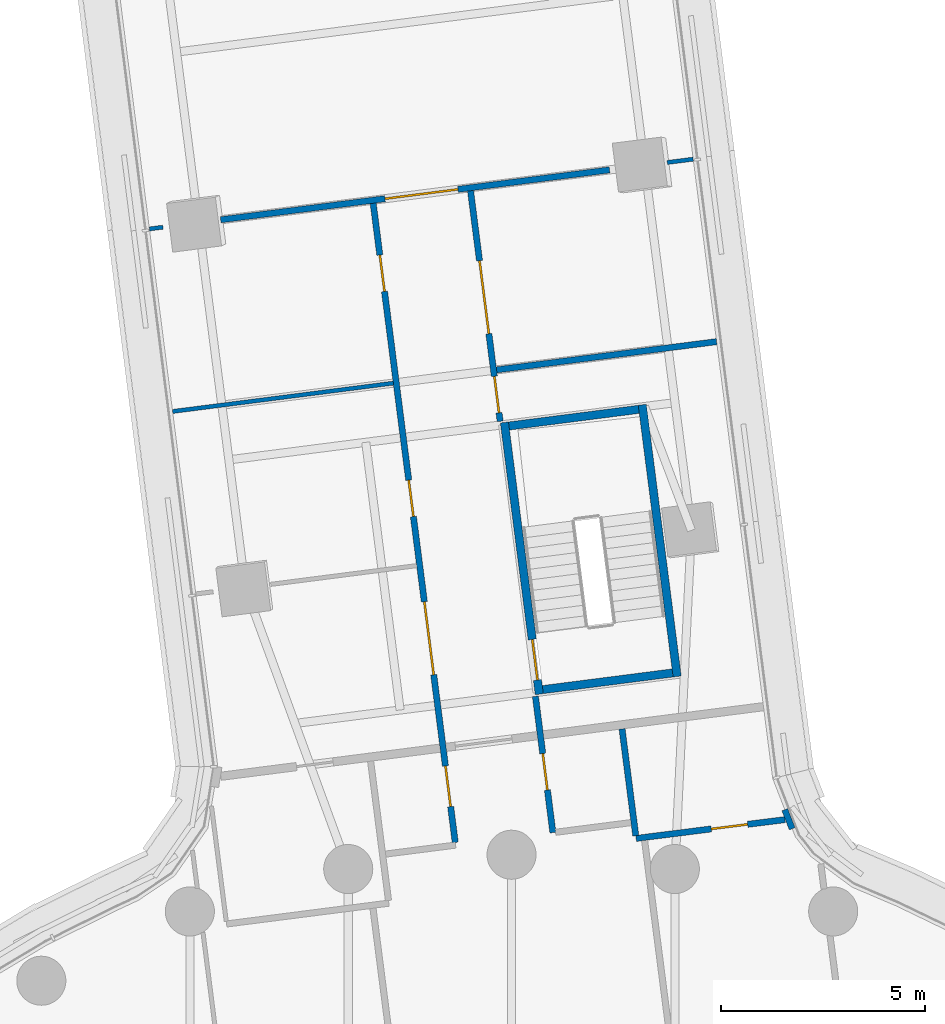
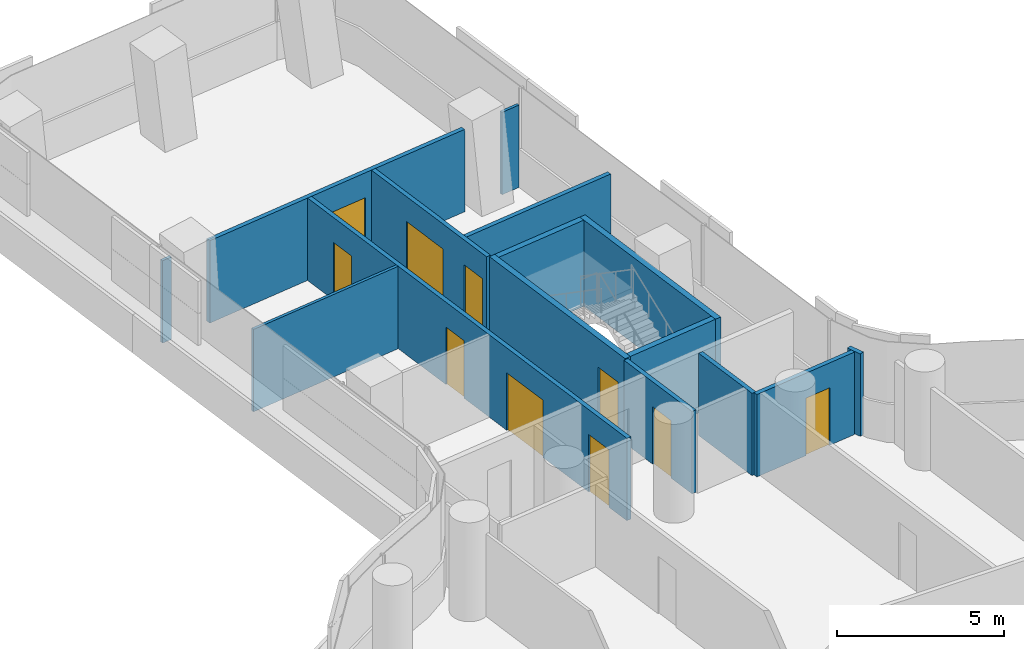
# One storey, part 23 of 31: 15 walls, 10 doors, 10 openings.
"""IFC4 building model written with IfcOpenShell, lengths in metres."""

from ifc_helpers import new_model, si_unit, direction, frame, frame_2d, origin, place, context, subcontext, project, spatial, polyline, rectangle, outline, extrude, material, layer, layer_set, type_object, element, fill, save


model = new_model("IFC4")

# Units and contexts
model_context = context("Model", 3, precision=1e-05, world=origin(), true_north=direction((0.0, 1.0)))
body_context = subcontext(model_context, "Body", "Model", "MODEL_VIEW")
ifc_project = project(units=[si_unit("LENGTHUNIT", "METRE"), si_unit("AREAUNIT", "SQUARE_METRE"), si_unit("VOLUMEUNIT", "CUBIC_METRE"), si_unit("PLANEANGLEUNIT", "RADIAN"), si_unit("MASSUNIT", "GRAM", prefix="KILO")], contexts=[model_context])

# Site, building, storey
site_placement = place(None, origin())
site = spatial("IfcSite", under=ifc_project, at=site_placement, CompositionType="ELEMENT")
building_placement = place(site_placement, origin())
building = spatial("IfcBuilding", under=site, at=building_placement, Name="Tamarind Cross Interchange Tower", CompositionType="ELEMENT")
storey_placement = place(building_placement, frame((0.0, 0.0, 60.25)))
storey = spatial("IfcBuildingStorey", under=building, at=storey_placement, Name="L13", CompositionType="ELEMENT", Elevation=60.25)

# Walls
ifc_material_1 = material(Name="Gypsum board partition on steel studs", Category="steel")
ifc_layer_1 = layer(ifc_material_1, 0.10009765625)
ifc_layer_set_1 = layer_set([ifc_layer_1], Name="Gypsum board partition on steel studs")
wall_type_1 = type_object("IfcWallType", Name="Partition 100 mm EI 90", PredefinedType="PARTITIONING", material=ifc_layer_set_1)
wall_1_placement = place(storey_placement, frame((-8.855712890625, 38.30517578125, 0.0), z_axis=(0.0, 0.0, 1.0), x_axis=(0.991888791838, 0.127108711843, 0.0)))
element("IfcWall", 1, at=wall_1_placement, inside=storey, type_object=wall_type_1, Name="Partition L13-044", PredefinedType="PARTITIONING", context=body_context, shape_type="SweptSolid", body=[
    extrude(rectangle(XDim=0.332275390625, YDim=0.10009765625, at=frame_2d((0.166015625, 0.0))), origin(), (0.0, 0.0, 1.0), 3.010009765625),
])
wall_2_placement = place(storey_placement, frame((3.80859375, 39.929931640625, 0.0), z_axis=(0.0, 0.0, 1.0), x_axis=(0.991873012514, 0.127231784733, 0.0)))
element("IfcWall", 2, at=wall_2_placement, inside=storey, type_object=wall_type_1, Name="Partition L13-046", PredefinedType="PARTITIONING", context=body_context, shape_type="SweptSolid", body=[
    extrude(rectangle(XDim=0.638916015625, YDim=0.10009765625, at=frame_2d((0.3193359375, 0.0))), origin(), (0.0, 0.0, 1.0), 3.010009765625),
])
wall_3_placement = place(storey_placement, frame((-8.2880859375, 33.841064453125, 0.0), z_axis=(0.0, 0.0, 1.0), x_axis=(0.991859018832, 0.127340829126, 0.0)))
element("IfcWall", 3, at=wall_3_placement, inside=storey, type_object=wall_type_1, Name="Partition L13-047", PredefinedType="PARTITIONING", context=body_context, shape_type="SweptSolid", body=[
    extrude(rectangle(XDim=5.44287109375, YDim=0.10009765625, at=frame_2d((2.721435546875, 0.0))), origin(), (0.0, 0.0, 1.0), 3.010009765625),
])

# Wall, openings, doors
ifc_layer_2 = layer(ifc_material_1, 0.14990234375)
ifc_layer_set_2 = layer_set([ifc_layer_2], Name="Gypsum board partition on steel studs")
wall_type_2 = type_object("IfcWallType", Name="Partition 150 mm EI 120", PredefinedType="PARTITIONING", material=ifc_layer_set_2)
wall_4_placement = place(storey_placement, frame((-3.38330078125, 38.931640625, 0.0), z_axis=(0.0, 0.0, 1.0), x_axis=(0.127324931281, -0.991861059763, 0.0)))
wall_4 = element("IfcWall", 4, at=wall_4_placement, inside=storey, type_object=wall_type_2, Name="Partition L13-012", PredefinedType="PARTITIONING", context=body_context, shape_type="SweptSolid", body=[
    extrude(rectangle(XDim=15.759521484375, YDim=0.14990234375, at=frame_2d((7.8798828125, 0.0))), origin(), (0.0, 0.0, 1.0), 3.010009765625),
])
opening_1_placement = place(wall_4_placement, frame((13.875, 0.0, 0.0)))
opening_1 = element("IfcOpeningElement", 5, at=opening_1_placement, cuts=wall_4, Name="Opening D05", PredefinedType="OPENING", context=body_context, shape_type="SweptSolid", body=[
    extrude(rectangle(XDim=1.0, YDim=2.10009765625, at=frame_2d((0.5, 1.050048828125))), frame((0.0, 0.0849609375, 0.0), z_axis=(0.0, -1.0, 0.0), x_axis=(1.0, 0.0, 0.0)), (0.0, 0.0, 1.0), 0.169921875),
])
opening_2_placement = place(wall_4_placement, frame((6.82470703125, 0.0, 0.0)))
opening_2 = element("IfcOpeningElement", 6, at=opening_2_placement, cuts=wall_4, Name="Opening D06", PredefinedType="OPENING", context=body_context, shape_type="SweptSolid", body=[
    extrude(rectangle(XDim=0.89990234375, YDim=2.10009765625, at=frame_2d((0.449951171875, 1.050048828125))), frame((0.0, 0.0849609375, 0.0), z_axis=(0.0, -1.0, 0.0), x_axis=(1.0, 0.0, 0.0)), (0.0, 0.0, 1.0), 0.169921875),
])
opening_3_placement = place(wall_4_placement, frame((1.27490234375, 0.0, 0.0)))
opening_3 = element("IfcOpeningElement", 7, at=opening_3_placement, cuts=wall_4, Name="Opening D07", PredefinedType="OPENING", context=body_context, shape_type="SweptSolid", body=[
    extrude(rectangle(XDim=0.89990234375, YDim=2.10009765625, at=frame_2d((0.449951171875, 1.050048828125))), frame((0.0, 0.0849609375, 0.0), z_axis=(0.0, -1.0, 0.0), x_axis=(1.0, 0.0, 0.0)), (0.0, 0.0, 1.0), 0.169921875),
])
opening_4_placement = place(wall_4_placement, frame((9.82421875, 0.0, 0.0)))
opening_4 = element("IfcOpeningElement", 8, at=opening_4_placement, cuts=wall_4, Name="Opening D08", PredefinedType="OPENING", context=body_context, shape_type="SweptSolid", body=[
    extrude(rectangle(XDim=1.800048828125, YDim=2.10009765625, at=frame_2d((0.89990234375, 1.050048828125))), frame((0.0, 0.0849609375, 0.0), z_axis=(0.0, -1.0, 0.0), x_axis=(1.0, 0.0, 0.0)), (0.0, 0.0, 1.0), 0.169921875),
])
ifc_material_2 = material(Name="Fire-resisting door set")
door_type_1 = type_object("IfcDoorType", Name="Interior door 1000 x 2100 FD60S", OperationType="SINGLE_SWING_LEFT", PredefinedType="DOOR", material=ifc_material_2)
door_1_placement = place(opening_1_placement, frame((1.0, 0.0, 0.0), z_axis=(0.0, 0.0, 1.0), x_axis=(-1.0, 0.0, 0.0)))
door_1 = element("IfcDoor", 9, at=door_1_placement, inside=storey, type_object=door_type_1, Name="Door D05", OperationType="SINGLE_SWING_RIGHT", OverallHeight=2.10009765625, OverallWidth=1.0, PredefinedType="DOOR", context=body_context, shape_type="SweptSolid", body=[
    extrude(rectangle(XDim=1.0, YDim=2.10009765625, at=frame_2d((0.5, 1.050048828125))), frame((0.0, 0.02490234375, 0.0), z_axis=(0.0, -1.0, 0.0), x_axis=(1.0, 0.0, 0.0)), (0.0, 0.0, 1.0), 0.050048828125),
])
fill(opening_1, door_1)
door_type_2 = type_object("IfcDoorType", Name="Interior door 1800 x 2100 FD60S", OperationType="DOUBLE_DOOR_SINGLE_SWING", PredefinedType="DOOR", material=ifc_material_2)
door_2_placement = place(opening_4_placement, frame((1.800048828125, 0.0, 0.0), z_axis=(0.0, 0.0, 1.0), x_axis=(-1.0, 0.0, 0.0)))
door_2 = element("IfcDoor", 10, at=door_2_placement, inside=storey, type_object=door_type_2, Name="Door D08", OperationType="DOUBLE_DOOR_SINGLE_SWING", OverallHeight=2.10009765625, OverallWidth=1.800048828125, PredefinedType="DOOR", context=body_context, shape_type="SweptSolid", body=[
    extrude(rectangle(XDim=1.800048828125, YDim=2.10009765625, at=frame_2d((0.89990234375, 1.050048828125))), frame((0.0, 0.02490234375, 0.0), z_axis=(0.0, -1.0, 0.0), x_axis=(1.0, 0.0, 0.0)), (0.0, 0.0, 1.0), 0.050048828125),
])
fill(opening_4, door_2)
door_type_3 = type_object("IfcDoorType", Name="Interior door 900 x 2100 FD60S", OperationType="SINGLE_SWING_LEFT", PredefinedType="DOOR", material=ifc_material_2)
door_3_placement = place(opening_2_placement, frame((0.89990234375, 0.0, 0.0), z_axis=(0.0, 0.0, 1.0), x_axis=(-1.0, 0.0, 0.0)))
door_3 = element("IfcDoor", 11, at=door_3_placement, inside=storey, type_object=door_type_3, Name="Door D06", OperationType="SINGLE_SWING_LEFT", OverallHeight=2.10009765625, OverallWidth=0.89990234375, PredefinedType="DOOR", context=body_context, shape_type="SweptSolid", body=[
    extrude(rectangle(XDim=0.89990234375, YDim=2.10009765625, at=frame_2d((0.449951171875, 1.050048828125))), frame((0.0, 0.02490234375, 0.0), z_axis=(0.0, -1.0, 0.0), x_axis=(1.0, 0.0, 0.0)), (0.0, 0.0, 1.0), 0.050048828125),
])
fill(opening_2, door_3)
door_4_placement = place(opening_3_placement, frame((0.89990234375, 0.0, 0.0), z_axis=(0.0, 0.0, 1.0), x_axis=(-1.0, 0.0, 0.0)))
door_4 = element("IfcDoor", 12, at=door_4_placement, inside=storey, type_object=door_type_3, Name="Door D07", OperationType="SINGLE_SWING_LEFT", OverallHeight=2.10009765625, OverallWidth=0.89990234375, PredefinedType="DOOR", context=body_context, shape_type="SweptSolid", body=[
    extrude(rectangle(XDim=0.89990234375, YDim=2.10009765625, at=frame_2d((0.449951171875, 1.050048828125))), frame((0.0, 0.02490234375, 0.0), z_axis=(0.0, -1.0, 0.0), x_axis=(1.0, 0.0, 0.0)), (0.0, 0.0, 1.0), 0.050048828125),
])
fill(opening_3, door_4)

wall_5_placement = place(storey_placement, frame((-1.00244140625, 39.237548828125, 0.0), z_axis=(0.0, 0.0, 1.0), x_axis=(0.127253154928, -0.991870271034, 0.0)))
wall_5 = element("IfcWall", 13, at=wall_5_placement, inside=storey, type_object=wall_type_2, Name="Partition L13-013", PredefinedType="PARTITIONING", context=body_context, shape_type="SweptSolid", body=[
    extrude(rectangle(XDim=5.6845703125, YDim=0.14990234375, at=frame_2d((2.84228515625, 0.0))), origin(), (0.0, 0.0, 1.0), 3.010009765625),
])
opening_5_placement = place(wall_5_placement, frame((1.72509765625, 0.0, 0.0)))
opening_5 = element("IfcOpeningElement", 14, at=opening_5_placement, cuts=wall_5, Name="Opening D09", PredefinedType="OPENING", context=body_context, shape_type="SweptSolid", body=[
    extrude(rectangle(XDim=1.800048828125, YDim=2.10009765625, at=frame_2d((0.89990234375, 1.050048828125))), frame((0.0, 0.0849609375, 0.0), z_axis=(0.0, -1.0, 0.0), x_axis=(1.0, 0.0, 0.0)), (0.0, 0.0, 1.0), 0.169921875),
])
opening_6_placement = place(wall_5_placement, frame((4.57470703125, 0.0, 0.0)))
opening_6 = element("IfcOpeningElement", 15, at=opening_6_placement, cuts=wall_5, Name="Opening D10", PredefinedType="OPENING", context=body_context, shape_type="SweptSolid", body=[
    extrude(rectangle(XDim=0.89990234375, YDim=2.10009765625, at=frame_2d((0.449951171875, 1.050048828125))), frame((0.0, 0.0849609375, 0.0), z_axis=(0.0, -1.0, 0.0), x_axis=(1.0, 0.0, 0.0)), (0.0, 0.0, 1.0), 0.169921875),
])
door_5_placement = place(opening_5_placement, origin())
door_5 = element("IfcDoor", 16, at=door_5_placement, inside=storey, type_object=door_type_2, Name="Door D09", OperationType="DOUBLE_DOOR_SINGLE_SWING", OverallHeight=2.10009765625, OverallWidth=1.800048828125, PredefinedType="DOOR", context=body_context, shape_type="SweptSolid", body=[
    extrude(rectangle(XDim=1.800048828125, YDim=2.10009765625, at=frame_2d((0.89990234375, 1.050048828125))), frame((0.0, 0.02490234375, 0.0), z_axis=(0.0, -1.0, 0.0), x_axis=(1.0, 0.0, 0.0)), (0.0, 0.0, 1.0), 0.050048828125),
])
fill(opening_5, door_5)
door_6_placement = place(opening_6_placement, origin())
door_6 = element("IfcDoor", 17, at=door_6_placement, inside=storey, type_object=door_type_3, Name="Door D10", OperationType="SINGLE_SWING_LEFT", OverallHeight=2.10009765625, OverallWidth=0.89990234375, PredefinedType="DOOR", context=body_context, shape_type="SweptSolid", body=[
    extrude(rectangle(XDim=0.89990234375, YDim=2.10009765625, at=frame_2d((0.449951171875, 1.050048828125))), frame((0.0, 0.02490234375, 0.0), z_axis=(0.0, -1.0, 0.0), x_axis=(1.0, 0.0, 0.0)), (0.0, 0.0, 1.0), 0.050048828125),
])
fill(opening_6, door_6)

# Wall, opening, door
wall_6_placement = place(storey_placement, frame((0.583740234375, 26.87451171875, 0.0), z_axis=(0.0, 0.0, 1.0), x_axis=(0.127270601511, -0.991868032548, 0.0)))
wall_6 = element("IfcWall", 18, at=wall_6_placement, inside=storey, type_object=wall_type_2, Name="Partition L13-014", PredefinedType="PARTITIONING", context=body_context, shape_type="SweptSolid", body=[
    extrude(rectangle(XDim=3.36083984375, YDim=0.14990234375, at=frame_2d((1.680419921875, 0.0))), origin(), (0.0, 0.0, 1.0), 3.010009765625),
])
opening_7_placement = place(wall_6_placement, frame((1.410400390625, 0.0, 0.0)))
opening_7 = element("IfcOpeningElement", 19, at=opening_7_placement, cuts=wall_6, Name="Opening D11", PredefinedType="OPENING", context=body_context, shape_type="SweptSolid", body=[
    extrude(rectangle(XDim=0.89990234375, YDim=2.10009765625, at=frame_2d((0.449951171875, 1.050048828125))), frame((0.0, 0.0849609375, 0.0), z_axis=(0.0, -1.0, 0.0), x_axis=(1.0, 0.0, 0.0)), (0.0, 0.0, 1.0), 0.169921875),
])
door_7_placement = place(opening_7_placement, origin())
door_7 = element("IfcDoor", 20, at=door_7_placement, inside=storey, type_object=door_type_3, Name="Door D11", OperationType="SINGLE_SWING_LEFT", OverallHeight=2.10009765625, OverallWidth=0.89990234375, PredefinedType="DOOR", context=body_context, shape_type="SweptSolid", body=[
    extrude(rectangle(XDim=0.89990234375, YDim=2.10009765625, at=frame_2d((0.449951171875, 1.050048828125))), frame((0.0, 0.02490234375, 0.0), z_axis=(0.0, -1.0, 0.0), x_axis=(1.0, 0.0, 0.0)), (0.0, 0.0, 1.0), 0.050048828125),
])
fill(opening_7, door_7)

# Wall
wall_7_placement = place(storey_placement, frame((2.702880859375, 26.076904296875, 0.0), z_axis=(0.0, 0.0, 1.0), x_axis=(0.127489190564, -0.991839960018, 0.0)))
element("IfcWall", 21, at=wall_7_placement, inside=storey, type_object=wall_type_2, Name="Partition L13-020", PredefinedType="PARTITIONING", context=body_context, shape_type="SweptSolid", body=[
    extrude(rectangle(XDim=2.635009765625, YDim=0.14990234375, at=frame_2d((1.3173828125, 0.0))), origin(), (0.0, 0.0, 1.0), 3.010009765625),
])

# Wall, opening, door
wall_8_placement = place(storey_placement, frame((-7.114501953125, 38.528564453125, 0.0), z_axis=(0.0, 0.0, 1.0), x_axis=(0.991871204221, 0.127245881021, 0.0)))
wall_8 = element("IfcWall", 22, at=wall_8_placement, inside=storey, type_object=wall_type_2, Name="Partition L13-045", PredefinedType="PARTITIONING", context=body_context, shape_type="SweptSolid", body=[
    extrude(rectangle(XDim=9.58935546875, YDim=0.14990234375, at=frame_2d((4.794677734375, 0.0))), origin(), (0.0, 0.0, 1.0), 3.010009765625),
])
opening_8_placement = place(wall_8_placement, frame((4.052001953125, 0.0, 0.0)))
opening_8 = element("IfcOpeningElement", 23, at=opening_8_placement, cuts=wall_8, Name="Opening D27", PredefinedType="OPENING", context=body_context, shape_type="SweptSolid", body=[
    extrude(rectangle(XDim=1.800048828125, YDim=2.10009765625, at=frame_2d((0.89990234375, 1.050048828125))), frame((0.0, 0.0849609375, 0.0), z_axis=(0.0, -1.0, 0.0), x_axis=(1.0, 0.0, 0.0)), (0.0, 0.0, 1.0), 0.169921875),
])
door_8_placement = place(opening_8_placement, origin())
door_8 = element("IfcDoor", 24, at=door_8_placement, inside=storey, type_object=door_type_2, Name="Door D27", OperationType="DOUBLE_DOOR_SINGLE_SWING", OverallHeight=2.10009765625, OverallWidth=1.800048828125, PredefinedType="DOOR", context=body_context, shape_type="SweptSolid", body=[
    extrude(rectangle(XDim=1.800048828125, YDim=2.10009765625, at=frame_2d((0.89990234375, 1.050048828125))), frame((0.0, 0.02490234375, 0.0), z_axis=(0.0, -1.0, 0.0), x_axis=(1.0, 0.0, 0.0)), (0.0, 0.0, 1.0), 0.050048828125),
])
fill(opening_8, door_8)

# Wall
wall_9_placement = place(storey_placement, frame((-0.364501953125, 34.858154296875, 0.0), z_axis=(0.0, 0.0, 1.0), x_axis=(0.991864623001, 0.127297170585, 0.0)))
element("IfcWall", 25, at=wall_9_placement, inside=storey, type_object=wall_type_2, Name="Partition L13-048", PredefinedType="PARTITIONING", context=body_context, shape_type="SweptSolid", body=[
    extrude(rectangle(XDim=5.423828125, YDim=0.14990234375, at=frame_2d((2.7119140625, 0.0))), origin(), (0.0, 0.0, 1.0), 3.010009765625),
])

# Wall, opening, door
wall_10_placement = place(storey_placement, frame((3.047119140625, 23.39892578125, 0.0), z_axis=(0.0, 0.0, 1.0), x_axis=(0.992116377625, 0.125319963489, 0.0)))
wall_10 = element("IfcWall", 26, at=wall_10_placement, inside=storey, type_object=wall_type_2, Name="Partition L13-059", PredefinedType="PARTITIONING", context=body_context, shape_type="SweptSolid", body=[
    extrude(rectangle(XDim=3.67041015625, YDim=0.14990234375, at=frame_2d((1.835205078125, 0.0))), origin(), (0.0, 0.0, 1.0), 3.010009765625),
])
opening_9_placement = place(wall_10_placement, frame((1.849609375, 0.0, 0.0)))
opening_9 = element("IfcOpeningElement", 27, at=opening_9_placement, cuts=wall_10, Name="Opening D32", PredefinedType="OPENING", context=body_context, shape_type="SweptSolid", body=[
    extrude(rectangle(XDim=0.89990234375, YDim=2.10009765625, at=frame_2d((0.449951171875, 1.050048828125))), frame((0.0, 0.0849609375, 0.0), z_axis=(0.0, -1.0, 0.0), x_axis=(1.0, 0.0, 0.0)), (0.0, 0.0, 1.0), 0.169921875),
])
door_9_placement = place(opening_9_placement, origin())
door_9 = element("IfcDoor", 28, at=door_9_placement, inside=storey, type_object=door_type_3, Name="Door D32", OperationType="SINGLE_SWING_LEFT", OverallHeight=2.10009765625, OverallWidth=0.89990234375, PredefinedType="DOOR", context=body_context, shape_type="SweptSolid", body=[
    extrude(rectangle(XDim=0.89990234375, YDim=2.10009765625, at=frame_2d((0.449951171875, 1.050048828125))), frame((0.0, 0.02490234375, 0.0), z_axis=(0.0, -1.0, 0.0), x_axis=(1.0, 0.0, 0.0)), (0.0, 0.0, 1.0), 0.050048828125),
])
fill(opening_9, door_9)

# Wall
wall_11_placement = place(storey_placement, frame((6.86328125, 23.636474609375, 0.0), z_axis=(0.0, 0.0, 1.0), x_axis=(-0.362446261155, 0.932004671541, 0.0)))
element("IfcWall", 29, at=wall_11_placement, inside=storey, type_object=wall_type_2, Name="Partition L13-077", PredefinedType="PARTITIONING", context=body_context, shape_type="SweptSolid", body=[
    extrude(rectangle(XDim=0.499755859375, YDim=0.14990234375, at=frame_2d((0.25, 0.0))), origin(), (0.0, 0.0, 1.0), 3.010009765625),
])

# Wall, opening, door
ifc_material_3 = material(Name="Concrete C40", Category="concrete")
ifc_layer_3 = layer(ifc_material_3, 0.199951171875)
ifc_layer_set_3 = layer_set([ifc_layer_3], Name="Concrete C40")
wall_type_3 = type_object("IfcWallType", Name="Stair shaft wall 200 mm Concrete C40", PredefinedType="SHEAR", material=ifc_layer_set_3)
wall_12_placement = place(storey_placement, frame((0.678466796875, 26.926513671875, -0.139892578125), z_axis=(0.0, 0.0, 1.0), x_axis=(-0.127316904587, 0.991862090115, 0.0)))
wall_12 = element("IfcWall", 30, at=wall_12_placement, inside=storey, type_object=wall_type_3, Name="Core wall CWL-L13-ST4-H", PredefinedType="SHEAR", context=body_context, shape_type="SweptSolid", body=[
    extrude(rectangle(XDim=6.699951171875, YDim=0.199951171875, at=frame_2d((3.35009765625, 0.0))), origin(), (0.0, 0.0, 1.0), 3.14990234375),
])
opening_10_placement = place(wall_12_placement, frame((0.35009765625, 0.0, 0.0)))
opening_10 = element("IfcOpeningElement", 31, at=opening_10_placement, cuts=wall_12, Name="Opening ST4L13", PredefinedType="OPENING", context=body_context, shape_type="SweptSolid", body=[
    extrude(rectangle(XDim=1.0, YDim=2.10009765625, at=frame_2d((0.5, 1.050048828125))), frame((0.0, 0.10986328125, 0.0), z_axis=(0.0, -1.0, 0.0), x_axis=(1.0, 0.0, 0.0)), (0.0, 0.0, 1.0), 0.219970703125),
])
ifc_material_4 = material(Name="Steel, fire-resisting", Category="steel")
door_type_4 = type_object("IfcDoorType", Name="Core fire door 1000 x 2100 FD90", OperationType="SINGLE_SWING_LEFT", PredefinedType="DOOR", material=ifc_material_4)
door_10_placement = place(opening_10_placement, origin())
door_10 = element("IfcDoor", 32, at=door_10_placement, inside=storey, type_object=door_type_4, Name="L13 stair door ST4", OperationType="SINGLE_SWING_LEFT", OverallHeight=2.10009765625, OverallWidth=1.0, PredefinedType="DOOR", context=body_context, shape_type="SweptSolid", body=[
    extrude(rectangle(XDim=1.0, YDim=2.10009765625, at=frame_2d((0.5, 1.050048828125))), frame((0.0, 0.02490234375, 0.0), z_axis=(0.0, -1.0, 0.0), x_axis=(1.0, 0.0, 0.0)), (0.0, 0.0, 1.0), 0.050048828125),
])
fill(opening_10, door_10)

# Walls
wall_13_placement = place(storey_placement, frame((4.05078125, 27.359375, -0.139892578125), z_axis=(0.0, 0.0, 1.0), x_axis=(-0.127321506264, 0.991861499426, 0.0)))
element("IfcWall", 33, at=wall_13_placement, inside=storey, type_object=wall_type_3, Name="Core wall CWL-L13-ST4-C", PredefinedType="SHEAR", context=body_context, shape_type="SweptSolid", body=[
    extrude(rectangle(XDim=6.69970703125, YDim=0.199951171875, at=frame_2d((3.349853515625, 0.0))), origin(), (0.0, 0.0, 1.0), 3.14990234375),
])
wall_14_placement = place(storey_placement, frame((3.938720703125, 27.44580078125, -0.139892578125), z_axis=(0.0, 0.0, 1.0), x_axis=(-0.991859194454, -0.127339461196, 0.0)))
element("IfcWall", 34, at=wall_14_placement, inside=storey, type_object=wall_type_3, Name="Core wall CWL-L13-ST4-CE", PredefinedType="SHEAR", context=body_context, shape_type="SweptSolid", body=[
    extrude(rectangle(XDim=3.199951171875, YDim=0.199951171875, at=frame_2d((1.60009765625, 0.0))), origin(), (0.0, 0.0, 1.0), 3.14990234375),
])
wall_15_placement = place(storey_placement, frame((0.0, 0.0, -0.139892578125)))
element("IfcWall", 35, at=wall_15_placement, inside=storey, type_object=wall_type_3, Name="Core wall CWL-L13-ST4-CF", PredefinedType="SHEAR", context=body_context, shape_type="SweptSolid", body=[
    extrude(outline(polyline([(3.1240234375, 33.793701171875), (3.0986328125, 33.991943359375), (-0.0751953125, 33.584716796875), (-0.0498046875, 33.38623046875), (3.1240234375, 33.793701171875)])), origin(), (0.0, 0.0, 1.0), 3.14990234375),
])

save(model, "model.ifc")
